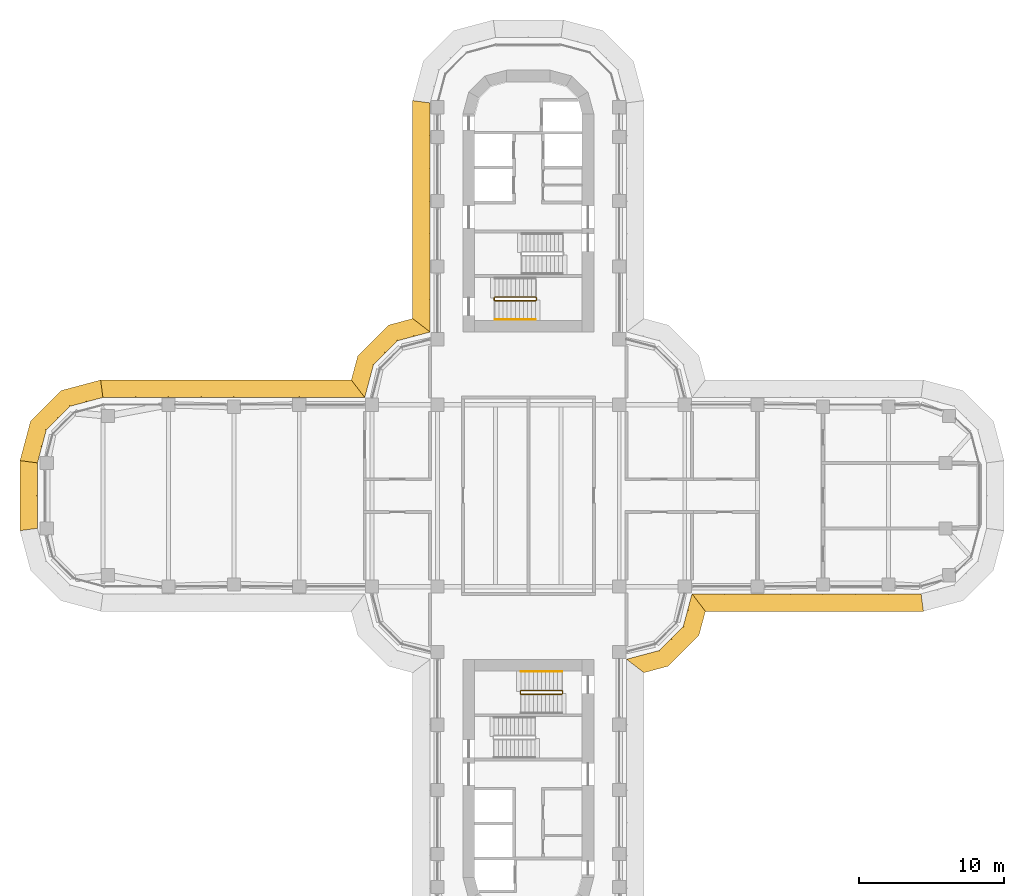
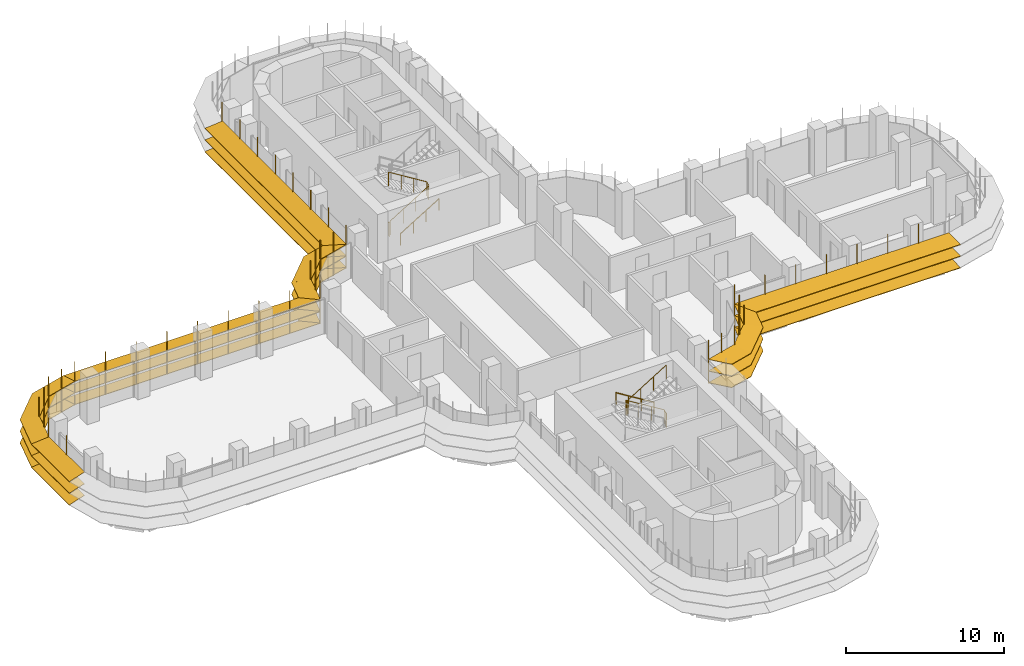
# One storey, part 19 of 21: 7 shading devices, 4 railings.
"""IFC4 building model written with IfcOpenShell, lengths in metres."""

from ifc_helpers import new_model, si_unit, direction, frame, origin, origin_2d, place, context, subcontext, project, spatial, polyline, circle, outline, extrude, faceted_brep, source, transform, mapped, material, type_object, element, save


model = new_model("IFC4")

# Units and contexts
model_context = context("Model", 3, precision=1e-05, world=origin(), true_north=direction((0.0, 1.0)))
body_context = subcontext(model_context, "Body", "Model", "MODEL_VIEW")
ifc_project = project(units=[si_unit("LENGTHUNIT", "METRE"), si_unit("AREAUNIT", "SQUARE_METRE"), si_unit("VOLUMEUNIT", "CUBIC_METRE"), si_unit("PLANEANGLEUNIT", "RADIAN"), si_unit("MASSUNIT", "GRAM", prefix="KILO")], contexts=[model_context])

# Site, building, storey
site_placement = place(None, origin())
site = spatial("IfcSite", under=ifc_project, at=site_placement, CompositionType="ELEMENT")
building_placement = place(site_placement, origin())
building = spatial("IfcBuilding", under=site, at=building_placement, Name="Zarbagh Exchange Tower", CompositionType="ELEMENT")
storey_placement = place(building_placement, frame((0.0, 0.0, 128.39990234375)))
storey = spatial("IfcBuildingStorey", under=building, at=storey_placement, Name="L30", CompositionType="ELEMENT", Elevation=128.39990234375)

# Railings
ifc_material_1 = material(Name="Stainless steel", Category="steel")
railing_type_1 = type_object("IfcRailingType", Name="Stair guard 1100 mm", PredefinedType="GUARDRAIL", material=ifc_material_1)
railing_1_placement = place(storey_placement, frame((-2.35009765625, 13.60009765625, 0.0)))
element("IfcRailing", 1, at=railing_1_placement, inside=storey, type_object=railing_type_1, Name="ST2 stair guard 1", PredefinedType="GUARDRAIL", context=body_context, shape_type="SweptSolid", body=[
    extrude(circle(Radius=0.02392578125, at=origin_2d()), frame((0.0, 0.0, 1.076171875), z_axis=(0.0, -1.0, 0.0), x_axis=(1.0, 0.0, 0.0)), (0.0, 0.0, 1.0), 0.150146484375),
    extrude(circle(Radius=0.02392578125, at=origin_2d()), frame((0.0, -0.150146484375, 1.076171875), z_axis=(0.267953482034, -0.267953482034, 0.925419830635), x_axis=(0.707106781187, 0.707106781187, 0.0)), (0.0, 0.0, 1.0), 0.186767578125),
    extrude(circle(Radius=0.02392578125, at=origin_2d()), frame((0.050048828125, -0.2001953125, 1.2490234375), z_axis=(0.851089632645, 0.0, 0.525020415988), x_axis=(0.0, 1.0, 0.0)), (0.0, 0.0, 1.0), 3.2900390625),
    extrude(circle(Radius=0.02392578125, at=origin_2d()), frame((2.85009765625, -0.2001953125, 2.97607421875), z_axis=(0.707106781187, 0.707106781187, 0.0), x_axis=(-0.707106781187, 0.707106781187, 0.0)), (0.0, 0.0, 1.0), 0.07080078125),
    extrude(circle(Radius=0.02392578125, at=origin_2d()), frame((2.900146484375, -0.150146484375, 2.97607421875), z_axis=(0.0, 1.0, 0.0), x_axis=(-1.0, 0.0, 0.0)), (0.0, 0.0, 1.0), 0.150146484375),
    extrude(circle(Radius=0.02392578125, at=origin_2d()), frame((2.900146484375, 0.0, 2.97607421875), z_axis=(-0.268371968888, 0.267062837333, 0.925556009775), x_axis=(-0.705375805398, -0.708833529934, 0.0)), (0.0, 0.0, 1.0), 0.1865234375),
    extrude(circle(Radius=0.02392578125, at=origin_2d()), frame((2.85009765625, 0.0498046875, 3.14892578125), z_axis=(-0.851089632645, 0.0, 0.525020415988), x_axis=(0.0, -1.0, 0.0)), (0.0, 0.0, 1.0), 3.2900390625),
    extrude(circle(Radius=0.02099609375, at=origin_2d()), origin(), (0.0, 0.0, 1.0), 1.052001953125),
    extrude(circle(Radius=0.02099609375, at=origin_2d()), frame((0.0, -0.150146484375, 0.0)), (0.0, 0.0, 1.0), 1.052001953125),
    extrude(circle(Radius=0.02099609375, at=origin_2d()), frame((0.050048828125, -0.2001953125, 0.1728515625)), (0.0, 0.0, 1.0), 1.052001953125),
    extrude(circle(Radius=0.02099609375, at=origin_2d()), frame((0.9833984375, -0.2001953125, 0.74853515625)), (0.0, 0.0, 1.0), 1.052001953125),
    extrude(circle(Radius=0.02099609375, at=origin_2d()), frame((1.916748046875, -0.2001953125, 1.324462890625)), (0.0, 0.0, 1.0), 1.052001953125),
    extrude(circle(Radius=0.02099609375, at=origin_2d()), frame((2.85009765625, -0.2001953125, 1.900146484375)), (0.0, 0.0, 1.0), 1.052001953125),
    extrude(circle(Radius=0.02099609375, at=origin_2d()), frame((2.900146484375, -0.150146484375, 1.900146484375)), (0.0, 0.0, 1.0), 1.052001953125),
    extrude(circle(Radius=0.02099609375, at=origin_2d()), frame((2.900146484375, 0.0, 1.900146484375)), (0.0, 0.0, 1.0), 1.052001953125),
    extrude(circle(Radius=0.02099609375, at=origin_2d()), frame((2.85009765625, 0.0498046875, 2.07275390625)), (0.0, 0.0, 1.0), 1.052001953125),
    extrude(circle(Radius=0.02099609375, at=origin_2d()), frame((1.916748046875, 0.0498046875, 2.6484375)), (0.0, 0.0, 1.0), 1.052001953125),
    extrude(circle(Radius=0.02099609375, at=origin_2d()), frame((0.9833984375, 0.0498046875, 3.224365234375)), (0.0, 0.0, 1.0), 1.052001953125),
    extrude(circle(Radius=0.02099609375, at=origin_2d()), frame((0.050048828125, 0.0498046875, 3.800048828125)), (0.0, 0.0, 1.0), 1.052001953125),
])
railing_2_placement = place(storey_placement, frame((2.35009765625, -13.60009765625, 0.0)))
element("IfcRailing", 2, at=railing_2_placement, inside=storey, type_object=railing_type_1, Name="ST4 stair guard 1", PredefinedType="GUARDRAIL", context=body_context, shape_type="SweptSolid", body=[
    extrude(circle(Radius=0.02392578125, at=origin_2d()), frame((0.0, 0.0, 1.076171875), z_axis=(0.0, 1.0, 0.0), x_axis=(-1.0, 0.0, 0.0)), (0.0, 0.0, 1.0), 0.150146484375),
    extrude(circle(Radius=0.02392578125, at=origin_2d()), frame((0.0, 0.150146484375, 1.076171875), z_axis=(-0.267953482034, 0.267953482034, 0.925419830635), x_axis=(-0.707106781187, -0.707106781187, 0.0)), (0.0, 0.0, 1.0), 0.186767578125),
    extrude(circle(Radius=0.02392578125, at=origin_2d()), frame((-0.050048828125, 0.2001953125, 1.2490234375), z_axis=(-0.851089632645, 0.0, 0.525020415988), x_axis=(0.0, -1.0, 0.0)), (0.0, 0.0, 1.0), 3.2900390625),
    extrude(circle(Radius=0.02392578125, at=origin_2d()), frame((-2.85009765625, 0.2001953125, 2.97607421875), z_axis=(-0.707106781187, -0.707106781187, 0.0), x_axis=(0.707106781187, -0.707106781187, 0.0)), (0.0, 0.0, 1.0), 0.07080078125),
    extrude(circle(Radius=0.02392578125, at=origin_2d()), frame((-2.900146484375, 0.150146484375, 2.97607421875), z_axis=(0.0, -1.0, 0.0), x_axis=(1.0, 0.0, 0.0)), (0.0, 0.0, 1.0), 0.150146484375),
    extrude(circle(Radius=0.02392578125, at=origin_2d()), frame((-2.900146484375, 0.0, 2.97607421875), z_axis=(0.268371968888, -0.267062837333, 0.925556009775), x_axis=(0.705375805398, 0.708833529934, 0.0)), (0.0, 0.0, 1.0), 0.1865234375),
    extrude(circle(Radius=0.02392578125, at=origin_2d()), frame((-2.85009765625, -0.0498046875, 3.14892578125), z_axis=(0.851089632645, 0.0, 0.525020415988), x_axis=(0.0, 1.0, 0.0)), (0.0, 0.0, 1.0), 3.2900390625),
    extrude(circle(Radius=0.02099609375, at=origin_2d()), origin(), (0.0, 0.0, 1.0), 1.052001953125),
    extrude(circle(Radius=0.02099609375, at=origin_2d()), frame((0.0, 0.150146484375, 0.0)), (0.0, 0.0, 1.0), 1.052001953125),
    extrude(circle(Radius=0.02099609375, at=origin_2d()), frame((-0.050048828125, 0.2001953125, 0.1728515625)), (0.0, 0.0, 1.0), 1.052001953125),
    extrude(circle(Radius=0.02099609375, at=origin_2d()), frame((-0.9833984375, 0.2001953125, 0.74853515625)), (0.0, 0.0, 1.0), 1.052001953125),
    extrude(circle(Radius=0.02099609375, at=origin_2d()), frame((-1.916748046875, 0.2001953125, 1.324462890625)), (0.0, 0.0, 1.0), 1.052001953125),
    extrude(circle(Radius=0.02099609375, at=origin_2d()), frame((-2.85009765625, 0.2001953125, 1.900146484375)), (0.0, 0.0, 1.0), 1.052001953125),
    extrude(circle(Radius=0.02099609375, at=origin_2d()), frame((-2.900146484375, 0.150146484375, 1.900146484375)), (0.0, 0.0, 1.0), 1.052001953125),
    extrude(circle(Radius=0.02099609375, at=origin_2d()), frame((-2.900146484375, 0.0, 1.900146484375)), (0.0, 0.0, 1.0), 1.052001953125),
    extrude(circle(Radius=0.02099609375, at=origin_2d()), frame((-2.85009765625, -0.0498046875, 2.07275390625)), (0.0, 0.0, 1.0), 1.052001953125),
    extrude(circle(Radius=0.02099609375, at=origin_2d()), frame((-1.916748046875, -0.0498046875, 2.6484375)), (0.0, 0.0, 1.0), 1.052001953125),
    extrude(circle(Radius=0.02099609375, at=origin_2d()), frame((-0.9833984375, -0.0498046875, 3.224365234375)), (0.0, 0.0, 1.0), 1.052001953125),
    extrude(circle(Radius=0.02099609375, at=origin_2d()), frame((-0.050048828125, -0.0498046875, 3.800048828125)), (0.0, 0.0, 1.0), 1.052001953125),
])
railing_type_2 = type_object("IfcRailingType", Name="Stair handrail 900 mm", PredefinedType="HANDRAIL", material=ifc_material_1)
railing_3_placement = place(storey_placement, frame((-2.300048828125, 12.10009765625, 0.1728515625)))
element("IfcRailing", 3, at=railing_3_placement, inside=storey, type_object=railing_type_2, Name="ST2 stair handrail 1", PredefinedType="HANDRAIL", context=body_context, shape_type="SweptSolid", body=[
    extrude(circle(Radius=0.02392578125, at=origin_2d()), frame((0.0, 0.0, 0.8759765625), z_axis=(0.851089632645, 0.0, 0.525020415988), x_axis=(0.0, 1.0, 0.0)), (0.0, 0.0, 1.0), 3.2900390625),
    extrude(circle(Radius=0.02099609375, at=origin_2d()), origin(), (0.0, 0.0, 1.0), 0.851806640625),
    extrude(circle(Radius=0.02099609375, at=origin_2d()), frame((0.933349609375, 0.0, 0.57568359375)), (0.0, 0.0, 1.0), 0.851806640625),
    extrude(circle(Radius=0.02099609375, at=origin_2d()), frame((1.86669921875, 0.0, 1.151611328125)), (0.0, 0.0, 1.0), 0.851806640625),
    extrude(circle(Radius=0.02099609375, at=origin_2d()), frame((2.800048828125, 0.0, 1.727294921875)), (0.0, 0.0, 1.0), 0.851806640625),
])
railing_4_placement = place(storey_placement, frame((2.300048828125, -12.10009765625, 0.1728515625)))
element("IfcRailing", 4, at=railing_4_placement, inside=storey, type_object=railing_type_2, Name="ST4 stair handrail 1", PredefinedType="HANDRAIL", context=body_context, shape_type="SweptSolid", body=[
    extrude(circle(Radius=0.02392578125, at=origin_2d()), frame((0.0, 0.0, 0.8759765625), z_axis=(-0.851089632645, 0.0, 0.525020415988), x_axis=(0.0, -1.0, 0.0)), (0.0, 0.0, 1.0), 3.2900390625),
    extrude(circle(Radius=0.02099609375, at=origin_2d()), origin(), (0.0, 0.0, 1.0), 0.851806640625),
    extrude(circle(Radius=0.02099609375, at=origin_2d()), frame((-0.933349609375, 0.0, 0.57568359375)), (0.0, 0.0, 1.0), 0.851806640625),
    extrude(circle(Radius=0.02099609375, at=origin_2d()), frame((-1.86669921875, 0.0, 1.151611328125)), (0.0, 0.0, 1.0), 0.851806640625),
    extrude(circle(Radius=0.02099609375, at=origin_2d()), frame((-2.800048828125, 0.0, 1.727294921875)), (0.0, 0.0, 1.0), 0.851806640625),
])

# Shading devices
ifc_material_2 = material(Name="Anodised aluminium blades and brackets", Category="aluminium")
shading_device_type = type_object("IfcShadingDeviceType", Name="SUNSHADE louvre band, 11.25 degree blades", PredefinedType="JALOUSIE", material=ifc_material_2)
shared_shape_1 = source(origin(), body_context, "Body", "Brep", [
    faceted_brep([(0.0, 0.0, 0.0), (0.0, 0.0, -0.040771484375), (-0.157958984375, -1.199951171875, -0.279541015625), (-0.157958984375, -1.199951171875, -0.23876953125), (2.65087890625, -1.199951171875, -0.23876953125), (2.65087890625, -1.199951171875, -0.279541015625), (2.329345703125, 0.0, -0.040771484375), (2.329345703125, 0.0, 0.0)], [[[0, 1, 2, 3]], [[4, 5, 6, 7]], [[0, 7, 6, 1]], [[1, 6, 5, 2]], [[2, 5, 4, 3]], [[3, 4, 7, 0]]]),
])
shared_shape_2 = source(origin(), body_context, "Body", "Brep", [
    faceted_brep([(0.0, 0.0, 0.0), (0.0, 0.0, -0.040771484375), (-0.321533203125, -1.199951171875, -0.279541015625), (-0.321533203125, -1.199951171875, -0.23876953125), (2.65087890625, -1.199951171875, -0.23876953125), (2.65087890625, -1.199951171875, -0.279541015625), (2.329345703125, 0.0, -0.040771484375), (2.329345703125, 0.0, 0.0)], [[[0, 1, 2, 3]], [[4, 5, 6, 7]], [[0, 7, 6, 1]], [[1, 6, 5, 2]], [[2, 5, 4, 3]], [[3, 4, 7, 0]]]),
])
shared_shape_3 = source(origin(), body_context, "Body", "Brep", [
    faceted_brep([(0.0, 0.0, 0.0), (0.0, 0.0, -0.040771484375), (-0.321533203125, -1.199951171875, -0.279541015625), (-0.321533203125, -1.199951171875, -0.23876953125), (2.4873046875, -1.199951171875, -0.23876953125), (2.4873046875, -1.199951171875, -0.279541015625), (2.329345703125, 0.0, -0.040771484375), (2.329345703125, 0.0, 0.0)], [[[0, 1, 2, 3]], [[4, 5, 6, 7]], [[0, 7, 6, 1]], [[1, 6, 5, 2]], [[2, 5, 4, 3]], [[3, 4, 7, 0]]]),
])
shared_shape_4 = source(origin(), body_context, "Body", "SweptSolid", [
    extrude(outline(polyline([(0.0, -0.012451171875), (0.06005859375, -0.012451171875), (0.06005859375, 0.012451171875), (0.0, 0.012451171875), (0.0, -0.012451171875)])), origin(), (0.0, 0.0, 1.0), 3.350830078125),
])
placement = place(storey_placement, origin())
element("IfcShadingDevice", 5, at=placement, inside=storey, type_object=shading_device_type, Name="SS17 sunshade band", PredefinedType="JALOUSIE", context=body_context, shape_type="MappedRepresentation", body=[
    mapped(shared_shape_1, transform((-29.25, 6.75, 2.300048828125), x_axis=(-0.965924289636, -0.258824779902, 0.0), y_axis=(0.258824779902, -0.965924289636, 0.0), z_axis=(0.0, 0.0, 1.0))),
    mapped(shared_shape_1, transform((-29.25, 6.75, 1.400146484375), x_axis=(-0.965924289636, -0.258824779902, 0.0), y_axis=(0.258824779902, -0.965924289636, 0.0), z_axis=(0.0, 0.0, 1.0))),
    mapped(shared_shape_1, transform((-29.25, 6.75, 0.5), x_axis=(-0.965924289636, -0.258824779902, 0.0), y_axis=(0.258824779902, -0.965924289636, 0.0), z_axis=(0.0, 0.0, 1.0))),
    mapped(shared_shape_2, transform((-31.5, 6.147216796875, 2.300048828125), x_axis=(-0.707106781187, -0.707106781187, 0.0), y_axis=(0.707106781187, -0.707106781187, 0.0), z_axis=(0.0, 0.0, 1.0))),
    mapped(shared_shape_2, transform((-31.5, 6.147216796875, 1.400146484375), x_axis=(-0.707106781187, -0.707106781187, 0.0), y_axis=(0.707106781187, -0.707106781187, 0.0), z_axis=(0.0, 0.0, 1.0))),
    mapped(shared_shape_2, transform((-31.5, 6.147216796875, 0.5), x_axis=(-0.707106781187, -0.707106781187, 0.0), y_axis=(0.707106781187, -0.707106781187, 0.0), z_axis=(0.0, 0.0, 1.0))),
    mapped(shared_shape_3, transform((-33.147216796875, 4.5, 2.300048828125), x_axis=(-0.258824779902, -0.965924289636, 0.0), y_axis=(0.965924289636, -0.258824779902, 0.0), z_axis=(0.0, 0.0, 1.0))),
    mapped(shared_shape_3, transform((-33.147216796875, 4.5, 1.400146484375), x_axis=(-0.258824779902, -0.965924289636, 0.0), y_axis=(0.965924289636, -0.258824779902, 0.0), z_axis=(0.0, 0.0, 1.0))),
    mapped(shared_shape_3, transform((-33.147216796875, 4.5, 0.5), x_axis=(-0.258824779902, -0.965924289636, 0.0), y_axis=(0.965924289636, -0.258824779902, 0.0), z_axis=(0.0, 0.0, 1.0))),
    mapped(shared_shape_4, transform((-29.25, 6.75, 0.42919921875), x_axis=(-0.130529263012, 0.991444457092, 0.0), y_axis=(-0.991444457092, -0.130529263012, 0.0), z_axis=(0.0, 0.0, 1.0))),
    mapped(shared_shape_4, transform((-30.375, 6.448486328125, 0.42919921875), x_axis=(-0.258825058029, 0.96592421511, 0.0), y_axis=(-0.96592421511, -0.258825058029, 0.0), z_axis=(0.0, 0.0, 1.0))),
    mapped(shared_shape_4, transform((-31.5, 6.147216796875, 0.42919921875), x_axis=(-0.50000275701, 0.866023812018, 0.0), y_axis=(-0.866023812018, -0.50000275701, 0.0), z_axis=(0.0, 0.0, 1.0))),
    mapped(shared_shape_4, transform((-32.323486328125, 5.323486328125, 0.42919921875), x_axis=(-0.707106781187, 0.707106781187, 0.0), y_axis=(-0.707106781187, -0.707106781187, 0.0), z_axis=(0.0, 0.0, 1.0))),
    mapped(shared_shape_4, transform((-33.147216796875, 4.5, 0.42919921875), x_axis=(-0.866023812018, 0.50000275701, 0.0), y_axis=(-0.50000275701, -0.866023812018, 0.0), z_axis=(0.0, 0.0, 1.0))),
    mapped(shared_shape_4, transform((-33.448486328125, 3.375, 0.42919921875), x_axis=(-0.96592421511, 0.258825058029, 0.0), y_axis=(-0.258825058029, -0.96592421511, 0.0), z_axis=(0.0, 0.0, 1.0))),
])
shared_shape_5 = source(origin(), body_context, "Body", "Brep", [
    faceted_brep([(0.0, 0.0, 0.0), (0.0, 0.0, -0.040771484375), (0.9208984375, -1.199951171875, -0.279541015625), (0.9208984375, -1.199951171875, -0.23876953125), (2.65087890625, -1.199951171875, -0.23876953125), (2.65087890625, -1.199951171875, -0.279541015625), (2.329345703125, 0.0, -0.040771484375), (2.329345703125, 0.0, 0.0)], [[[0, 1, 2, 3]], [[4, 5, 6, 7]], [[0, 7, 6, 1]], [[1, 6, 5, 2]], [[2, 5, 4, 3]], [[3, 4, 7, 0]]]),
])
shared_shape_6 = source(origin(), body_context, "Body", "Brep", [
    faceted_brep([(0.0, 0.0, 0.0), (0.0, 0.0, -0.040771484375), (-0.321533203125, -1.199951171875, -0.279541015625), (-0.321533203125, -1.199951171875, -0.23876953125), (1.40869140625, -1.199951171875, -0.23876953125), (1.40869140625, -1.199951171875, -0.279541015625), (2.329345703125, 0.0, -0.040771484375), (2.329345703125, 0.0, 0.0)], [[[0, 1, 2, 3]], [[4, 5, 6, 7]], [[0, 7, 6, 1]], [[1, 6, 5, 2]], [[2, 5, 4, 3]], [[3, 4, 7, 0]]]),
])
element("IfcShadingDevice", 6, at=placement, inside=storey, type_object=shading_device_type, Name="SS03 sunshade band", PredefinedType="JALOUSIE", context=body_context, shape_type="MappedRepresentation", body=[
    mapped(shared_shape_5, transform((6.75, -11.25, 2.300048828125), x_axis=(0.965924289636, 0.258824779902, 0.0), y_axis=(-0.258824779902, 0.965924289636, 0.0), z_axis=(0.0, 0.0, 1.0))),
    mapped(shared_shape_5, transform((6.75, -11.25, 1.400146484375), x_axis=(0.965924289636, 0.258824779902, 0.0), y_axis=(-0.258824779902, 0.965924289636, 0.0), z_axis=(0.0, 0.0, 1.0))),
    mapped(shared_shape_5, transform((6.75, -11.25, 0.5), x_axis=(0.965924289636, 0.258824779902, 0.0), y_axis=(-0.258824779902, 0.965924289636, 0.0), z_axis=(0.0, 0.0, 1.0))),
    mapped(shared_shape_2, transform((9.0, -10.647216796875, 2.300048828125), x_axis=(0.707106781187, 0.707106781187, 0.0), y_axis=(-0.707106781187, 0.707106781187, 0.0), z_axis=(0.0, 0.0, 1.0))),
    mapped(shared_shape_2, transform((9.0, -10.647216796875, 1.400146484375), x_axis=(0.707106781187, 0.707106781187, 0.0), y_axis=(-0.707106781187, 0.707106781187, 0.0), z_axis=(0.0, 0.0, 1.0))),
    mapped(shared_shape_2, transform((9.0, -10.647216796875, 0.5), x_axis=(0.707106781187, 0.707106781187, 0.0), y_axis=(-0.707106781187, 0.707106781187, 0.0), z_axis=(0.0, 0.0, 1.0))),
    mapped(shared_shape_6, transform((10.647216796875, -9.0, 2.300048828125), x_axis=(0.258824779902, 0.965924289636, 0.0), y_axis=(-0.965924289636, 0.258824779902, 0.0), z_axis=(0.0, 0.0, 1.0))),
    mapped(shared_shape_6, transform((10.647216796875, -9.0, 1.400146484375), x_axis=(0.258824779902, 0.965924289636, 0.0), y_axis=(-0.965924289636, 0.258824779902, 0.0), z_axis=(0.0, 0.0, 1.0))),
    mapped(shared_shape_6, transform((10.647216796875, -9.0, 0.5), x_axis=(0.258824779902, 0.965924289636, 0.0), y_axis=(-0.965924289636, 0.258824779902, 0.0), z_axis=(0.0, 0.0, 1.0))),
    mapped(shared_shape_4, transform((6.75, -11.25, 0.42919921875), x_axis=(0.793355287, -0.608758892, 0.0), y_axis=(0.608758892, 0.793355287, 0.0), z_axis=(0.0, 0.0, 1.0))),
    mapped(shared_shape_4, transform((7.875, -10.948486328125, 0.42919921875), x_axis=(0.258825058029, -0.96592421511, 0.0), y_axis=(0.96592421511, 0.258825058029, 0.0), z_axis=(0.0, 0.0, 1.0))),
    mapped(shared_shape_4, transform((9.0, -10.647216796875, 0.42919921875), x_axis=(0.50000275701, -0.866023812018, 0.0), y_axis=(0.866023812018, 0.50000275701, 0.0), z_axis=(0.0, 0.0, 1.0))),
    mapped(shared_shape_4, transform((9.823486328125, -9.823486328125, 0.42919921875), x_axis=(0.707106781187, -0.707106781187, 0.0), y_axis=(0.707106781187, 0.707106781187, 0.0), z_axis=(0.0, 0.0, 1.0))),
    mapped(shared_shape_4, transform((10.647216796875, -9.0, 0.42919921875), x_axis=(0.866023812018, -0.50000275701, 0.0), y_axis=(0.50000275701, 0.866023812018, 0.0), z_axis=(0.0, 0.0, 1.0))),
    mapped(shared_shape_4, transform((10.948486328125, -7.875, 0.42919921875), x_axis=(0.96592421511, -0.258825058029, 0.0), y_axis=(0.258825058029, 0.96592421511, 0.0), z_axis=(0.0, 0.0, 1.0))),
])
element("IfcShadingDevice", 7, at=placement, inside=storey, type_object=shading_device_type, Name="SS15 sunshade band", PredefinedType="JALOUSIE", context=body_context, shape_type="MappedRepresentation", body=[
    mapped(shared_shape_5, transform((-6.75, 11.25, 2.300048828125), x_axis=(-0.965924289636, -0.258824779902, 0.0), y_axis=(0.258824779902, -0.965924289636, 0.0), z_axis=(0.0, 0.0, 1.0))),
    mapped(shared_shape_5, transform((-6.75, 11.25, 1.400146484375), x_axis=(-0.965924289636, -0.258824779902, 0.0), y_axis=(0.258824779902, -0.965924289636, 0.0), z_axis=(0.0, 0.0, 1.0))),
    mapped(shared_shape_5, transform((-6.75, 11.25, 0.5), x_axis=(-0.965924289636, -0.258824779902, 0.0), y_axis=(0.258824779902, -0.965924289636, 0.0), z_axis=(0.0, 0.0, 1.0))),
    mapped(shared_shape_2, transform((-9.0, 10.647216796875, 2.300048828125), x_axis=(-0.707106781187, -0.707106781187, 0.0), y_axis=(0.707106781187, -0.707106781187, 0.0), z_axis=(0.0, 0.0, 1.0))),
    mapped(shared_shape_2, transform((-9.0, 10.647216796875, 1.400146484375), x_axis=(-0.707106781187, -0.707106781187, 0.0), y_axis=(0.707106781187, -0.707106781187, 0.0), z_axis=(0.0, 0.0, 1.0))),
    mapped(shared_shape_2, transform((-9.0, 10.647216796875, 0.5), x_axis=(-0.707106781187, -0.707106781187, 0.0), y_axis=(0.707106781187, -0.707106781187, 0.0), z_axis=(0.0, 0.0, 1.0))),
    mapped(shared_shape_6, transform((-10.647216796875, 9.0, 2.300048828125), x_axis=(-0.258824779902, -0.965924289636, 0.0), y_axis=(0.965924289636, -0.258824779902, 0.0), z_axis=(0.0, 0.0, 1.0))),
    mapped(shared_shape_6, transform((-10.647216796875, 9.0, 1.400146484375), x_axis=(-0.258824779902, -0.965924289636, 0.0), y_axis=(0.965924289636, -0.258824779902, 0.0), z_axis=(0.0, 0.0, 1.0))),
    mapped(shared_shape_6, transform((-10.647216796875, 9.0, 0.5), x_axis=(-0.258824779902, -0.965924289636, 0.0), y_axis=(0.965924289636, -0.258824779902, 0.0), z_axis=(0.0, 0.0, 1.0))),
    mapped(shared_shape_4, transform((-6.75, 11.25, 0.42919921875), x_axis=(-0.793355287, 0.608758892, 0.0), y_axis=(-0.608758892, -0.793355287, 0.0), z_axis=(0.0, 0.0, 1.0))),
    mapped(shared_shape_4, transform((-7.875, 10.948486328125, 0.42919921875), x_axis=(-0.258825058029, 0.96592421511, 0.0), y_axis=(-0.96592421511, -0.258825058029, 0.0), z_axis=(0.0, 0.0, 1.0))),
    mapped(shared_shape_4, transform((-9.0, 10.647216796875, 0.42919921875), x_axis=(-0.50000275701, 0.866023812018, 0.0), y_axis=(-0.866023812018, -0.50000275701, 0.0), z_axis=(0.0, 0.0, 1.0))),
    mapped(shared_shape_4, transform((-9.823486328125, 9.823486328125, 0.42919921875), x_axis=(-0.707106781187, 0.707106781187, 0.0), y_axis=(-0.707106781187, -0.707106781187, 0.0), z_axis=(0.0, 0.0, 1.0))),
    mapped(shared_shape_4, transform((-10.647216796875, 9.0, 0.42919921875), x_axis=(-0.866023812018, 0.50000275701, 0.0), y_axis=(-0.50000275701, -0.866023812018, 0.0), z_axis=(0.0, 0.0, 1.0))),
    mapped(shared_shape_4, transform((-10.948486328125, 7.875, 0.42919921875), x_axis=(-0.96592421511, 0.258825058029, 0.0), y_axis=(-0.258825058029, -0.96592421511, 0.0), z_axis=(0.0, 0.0, 1.0))),
])
shared_shape_7 = source(origin(), body_context, "Body", "Brep", [
    faceted_brep([(0.0, 0.0, 0.0), (0.0, 0.0, -0.040771484375), (0.9208984375, -1.199951171875, -0.279541015625), (0.9208984375, -1.199951171875, -0.23876953125), (15.907958984375, -1.199951171875, -0.23876953125), (15.907958984375, -1.199951171875, -0.279541015625), (15.75, 0.0, -0.040771484375), (15.75, 0.0, 0.0)], [[[0, 1, 2, 3]], [[4, 5, 6, 7]], [[0, 7, 6, 1]], [[1, 6, 5, 2]], [[2, 5, 4, 3]], [[3, 4, 7, 0]]]),
])
element("IfcShadingDevice", 8, at=placement, inside=storey, type_object=shading_device_type, Name="SS30 sunshade band", PredefinedType="JALOUSIE", context=body_context, shape_type="MappedRepresentation", body=[
    mapped(shared_shape_7, transform((11.25, -6.75, 2.300048828125), x_axis=(1.0, 0.0, 0.0), y_axis=(0.0, 1.0, 0.0), z_axis=(0.0, 0.0, 1.0))),
    mapped(shared_shape_7, transform((11.25, -6.75, 1.400146484375), x_axis=(1.0, 0.0, 0.0), y_axis=(0.0, 1.0, 0.0), z_axis=(0.0, 0.0, 1.0))),
    mapped(shared_shape_7, transform((11.25, -6.75, 0.5), x_axis=(1.0, 0.0, 0.0), y_axis=(0.0, 1.0, 0.0), z_axis=(0.0, 0.0, 1.0))),
    mapped(shared_shape_4, transform((11.25, -6.75, 0.42919921875), x_axis=(0.608758892, -0.793355287, 0.0), y_axis=(0.793355287, 0.608758892, 0.0), z_axis=(0.0, 0.0, 1.0))),
    mapped(shared_shape_4, transform((13.5, -6.75, 0.42919921875), x_axis=(0.0, -1.0, 0.0), y_axis=(1.0, 0.0, 0.0), z_axis=(0.0, 0.0, 1.0))),
    mapped(shared_shape_4, transform((15.75, -6.75, 0.42919921875), x_axis=(0.0, -1.0, 0.0), y_axis=(1.0, 0.0, 0.0), z_axis=(0.0, 0.0, 1.0))),
    mapped(shared_shape_4, transform((18.0, -6.75, 0.42919921875), x_axis=(0.0, -1.0, 0.0), y_axis=(1.0, 0.0, 0.0), z_axis=(0.0, 0.0, 1.0))),
    mapped(shared_shape_4, transform((20.25, -6.75, 0.42919921875), x_axis=(0.0, -1.0, 0.0), y_axis=(1.0, 0.0, 0.0), z_axis=(0.0, 0.0, 1.0))),
    mapped(shared_shape_4, transform((22.5, -6.75, 0.42919921875), x_axis=(0.0, -1.0, 0.0), y_axis=(1.0, 0.0, 0.0), z_axis=(0.0, 0.0, 1.0))),
    mapped(shared_shape_4, transform((24.75, -6.75, 0.42919921875), x_axis=(0.0, -1.0, 0.0), y_axis=(1.0, 0.0, 0.0), z_axis=(0.0, 0.0, 1.0))),
])
shared_shape_8 = source(origin(), body_context, "Body", "Brep", [
    faceted_brep([(0.0, 0.0, 0.0), (0.0, 0.0, -0.040771484375), (-0.157958984375, -1.199951171875, -0.279541015625), (-0.157958984375, -1.199951171875, -0.23876953125), (14.8291015625, -1.199951171875, -0.23876953125), (14.8291015625, -1.199951171875, -0.279541015625), (15.75, 0.0, -0.040771484375), (15.75, 0.0, 0.0)], [[[0, 1, 2, 3]], [[4, 5, 6, 7]], [[0, 7, 6, 1]], [[1, 6, 5, 2]], [[2, 5, 4, 3]], [[3, 4, 7, 0]]]),
])
element("IfcShadingDevice", 9, at=placement, inside=storey, type_object=shading_device_type, Name="SS29 sunshade band", PredefinedType="JALOUSIE", context=body_context, shape_type="MappedRepresentation", body=[
    mapped(shared_shape_8, transform((-6.75, 27.0, 2.300048828125), x_axis=(0.0, -1.0, 0.0), y_axis=(1.0, 0.0, 0.0), z_axis=(0.0, 0.0, 1.0))),
    mapped(shared_shape_8, transform((-6.75, 27.0, 1.400146484375), x_axis=(0.0, -1.0, 0.0), y_axis=(1.0, 0.0, 0.0), z_axis=(0.0, 0.0, 1.0))),
    mapped(shared_shape_8, transform((-6.75, 27.0, 0.5), x_axis=(0.0, -1.0, 0.0), y_axis=(1.0, 0.0, 0.0), z_axis=(0.0, 0.0, 1.0))),
    mapped(shared_shape_4, transform((-6.75, 27.0, 0.42919921875), x_axis=(-0.991444457092, 0.130529263012, 0.0), y_axis=(-0.130529263012, -0.991444457092, 0.0), z_axis=(0.0, 0.0, 1.0))),
    mapped(shared_shape_4, transform((-6.75, 24.75, 0.42919921875), x_axis=(-1.0, 0.0, 0.0), y_axis=(0.0, -1.0, 0.0), z_axis=(0.0, 0.0, 1.0))),
    mapped(shared_shape_4, transform((-6.75, 22.5, 0.42919921875), x_axis=(-1.0, 0.0, 0.0), y_axis=(0.0, -1.0, 0.0), z_axis=(0.0, 0.0, 1.0))),
    mapped(shared_shape_4, transform((-6.75, 20.25, 0.42919921875), x_axis=(-1.0, 0.0, 0.0), y_axis=(0.0, -1.0, 0.0), z_axis=(0.0, 0.0, 1.0))),
    mapped(shared_shape_4, transform((-6.75, 18.0, 0.42919921875), x_axis=(-1.0, 0.0, 0.0), y_axis=(0.0, -1.0, 0.0), z_axis=(0.0, 0.0, 1.0))),
    mapped(shared_shape_4, transform((-6.75, 15.75, 0.42919921875), x_axis=(-1.0, 0.0, 0.0), y_axis=(0.0, -1.0, 0.0), z_axis=(0.0, 0.0, 1.0))),
    mapped(shared_shape_4, transform((-6.75, 13.5, 0.42919921875), x_axis=(-1.0, 0.0, 0.0), y_axis=(0.0, -1.0, 0.0), z_axis=(0.0, 0.0, 1.0))),
])
shared_shape_9 = source(origin(), body_context, "Body", "Brep", [
    faceted_brep([(0.0, 0.0, 0.0), (0.0, 0.0, -0.040771484375), (0.9208984375, -1.199951171875, -0.279541015625), (0.9208984375, -1.199951171875, -0.23876953125), (18.157958984375, -1.199951171875, -0.23876953125), (18.157958984375, -1.199951171875, -0.279541015625), (18.0, 0.0, -0.040771484375), (18.0, 0.0, 0.0)], [[[0, 1, 2, 3]], [[4, 5, 6, 7]], [[0, 7, 6, 1]], [[1, 6, 5, 2]], [[2, 5, 4, 3]], [[3, 4, 7, 0]]]),
])
element("IfcShadingDevice", 10, at=placement, inside=storey, type_object=shading_device_type, Name="SS16 sunshade band", PredefinedType="JALOUSIE", context=body_context, shape_type="MappedRepresentation", body=[
    mapped(shared_shape_9, transform((-11.25, 6.75, 2.300048828125), x_axis=(-1.0, 0.0, 0.0), y_axis=(0.0, -1.0, 0.0), z_axis=(0.0, 0.0, 1.0))),
    mapped(shared_shape_9, transform((-11.25, 6.75, 1.400146484375), x_axis=(-1.0, 0.0, 0.0), y_axis=(0.0, -1.0, 0.0), z_axis=(0.0, 0.0, 1.0))),
    mapped(shared_shape_9, transform((-11.25, 6.75, 0.5), x_axis=(-1.0, 0.0, 0.0), y_axis=(0.0, -1.0, 0.0), z_axis=(0.0, 0.0, 1.0))),
    mapped(shared_shape_4, transform((-11.25, 6.75, 0.42919921875), x_axis=(-0.608758892, 0.793355287, 0.0), y_axis=(-0.793355287, -0.608758892, 0.0), z_axis=(0.0, 0.0, 1.0))),
    mapped(shared_shape_4, transform((-13.5, 6.75, 0.42919921875), x_axis=(0.0, 1.0, 0.0), y_axis=(-1.0, 0.0, 0.0), z_axis=(0.0, 0.0, 1.0))),
    mapped(shared_shape_4, transform((-15.75, 6.75, 0.42919921875), x_axis=(0.0, 1.0, 0.0), y_axis=(-1.0, 0.0, 0.0), z_axis=(0.0, 0.0, 1.0))),
    mapped(shared_shape_4, transform((-18.0, 6.75, 0.42919921875), x_axis=(0.0, 1.0, 0.0), y_axis=(-1.0, 0.0, 0.0), z_axis=(0.0, 0.0, 1.0))),
    mapped(shared_shape_4, transform((-20.25, 6.75, 0.42919921875), x_axis=(0.0, 1.0, 0.0), y_axis=(-1.0, 0.0, 0.0), z_axis=(0.0, 0.0, 1.0))),
    mapped(shared_shape_4, transform((-22.5, 6.75, 0.42919921875), x_axis=(0.0, 1.0, 0.0), y_axis=(-1.0, 0.0, 0.0), z_axis=(0.0, 0.0, 1.0))),
    mapped(shared_shape_4, transform((-24.75, 6.75, 0.42919921875), x_axis=(0.0, 1.0, 0.0), y_axis=(-1.0, 0.0, 0.0), z_axis=(0.0, 0.0, 1.0))),
    mapped(shared_shape_4, transform((-27.0, 6.75, 0.42919921875), x_axis=(0.0, 1.0, 0.0), y_axis=(-1.0, 0.0, 0.0), z_axis=(0.0, 0.0, 1.0))),
])
shared_shape_10 = source(origin(), body_context, "Body", "Brep", [
    faceted_brep([(0.0, 0.0, 0.0), (0.0, 0.0, -0.040771484375), (-0.157958984375, -1.199951171875, -0.279541015625), (-0.157958984375, -1.199951171875, -0.23876953125), (4.657958984375, -1.199951171875, -0.23876953125), (4.657958984375, -1.199951171875, -0.279541015625), (4.5, 0.0, -0.040771484375), (4.5, 0.0, 0.0)], [[[0, 1, 2, 3]], [[4, 5, 6, 7]], [[0, 7, 6, 1]], [[1, 6, 5, 2]], [[2, 5, 4, 3]], [[3, 4, 7, 0]]]),
])
element("IfcShadingDevice", 11, at=placement, inside=storey, type_object=shading_device_type, Name="SS18 sunshade band", PredefinedType="JALOUSIE", context=body_context, shape_type="MappedRepresentation", body=[
    mapped(shared_shape_10, transform((-33.75, 2.25, 2.300048828125), x_axis=(0.0, -1.0, 0.0), y_axis=(1.0, 0.0, 0.0), z_axis=(0.0, 0.0, 1.0))),
    mapped(shared_shape_10, transform((-33.75, 2.25, 1.400146484375), x_axis=(0.0, -1.0, 0.0), y_axis=(1.0, 0.0, 0.0), z_axis=(0.0, 0.0, 1.0))),
    mapped(shared_shape_10, transform((-33.75, 2.25, 0.5), x_axis=(0.0, -1.0, 0.0), y_axis=(1.0, 0.0, 0.0), z_axis=(0.0, 0.0, 1.0))),
    mapped(shared_shape_4, transform((-33.75, 2.25, 0.42919921875), x_axis=(-0.991444457092, 0.130529263012, 0.0), y_axis=(-0.130529263012, -0.991444457092, 0.0), z_axis=(0.0, 0.0, 1.0))),
    mapped(shared_shape_4, transform((-33.75, 0.0, 0.42919921875), x_axis=(-1.0, 0.0, 0.0), y_axis=(0.0, -1.0, 0.0), z_axis=(0.0, 0.0, 1.0))),
])

save(model, "model.ifc")
